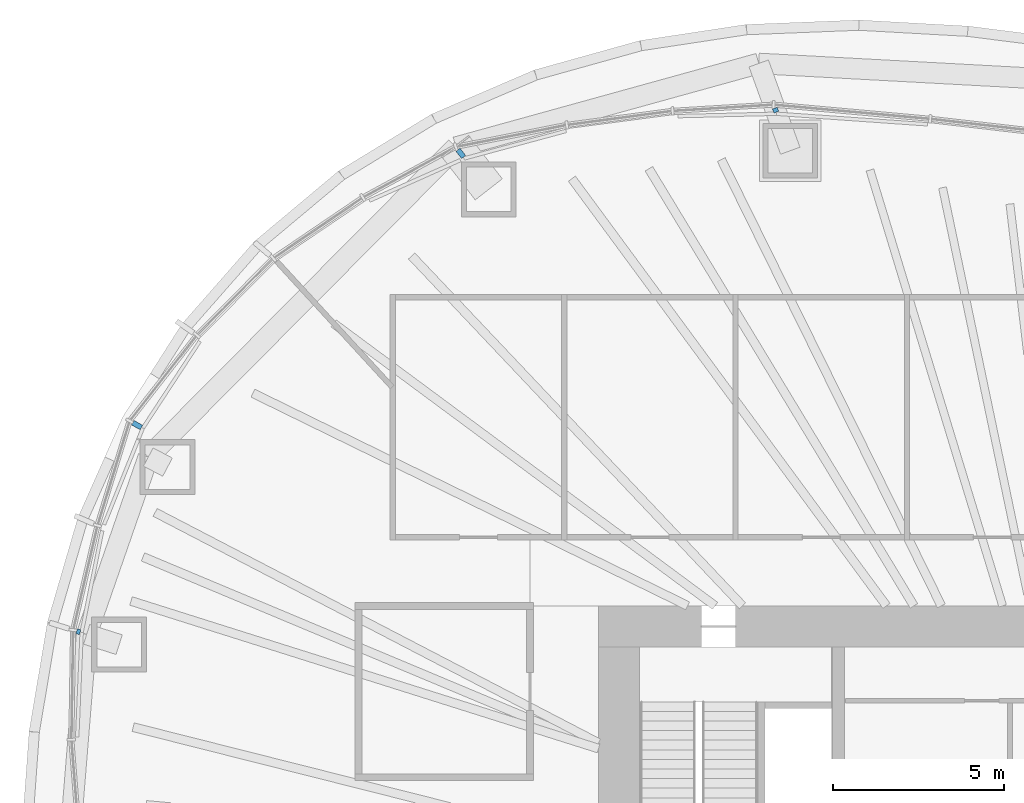
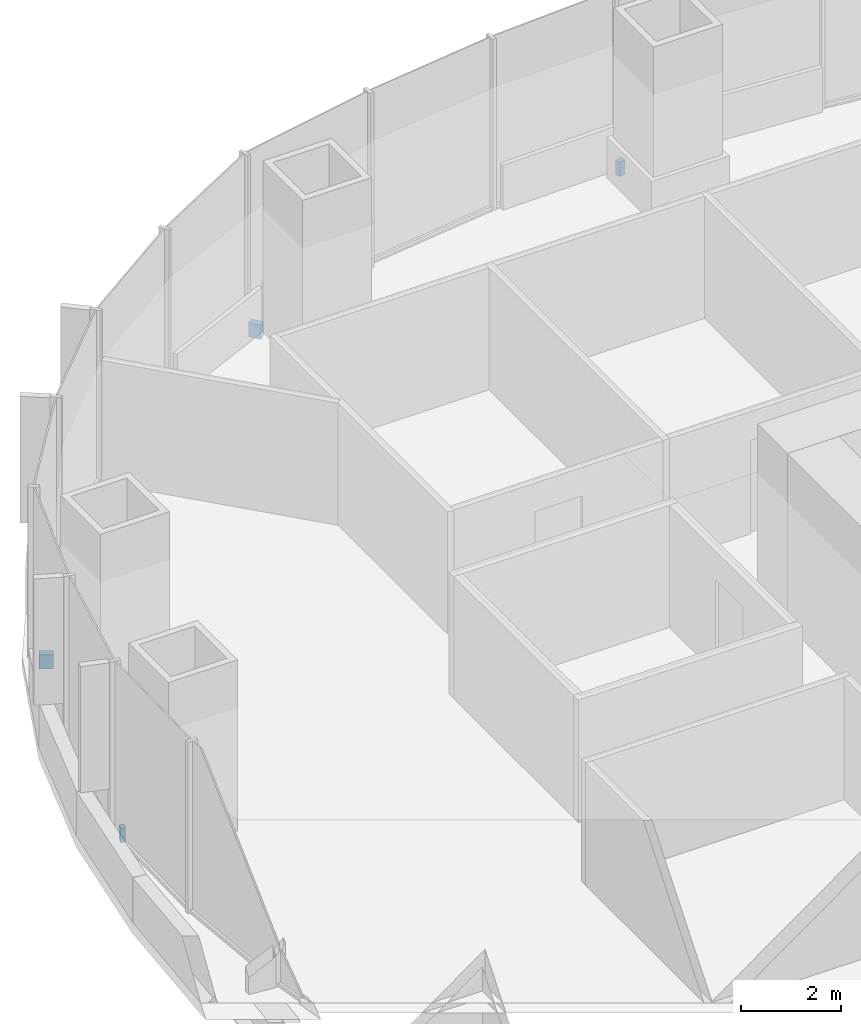
# One storey, part 17 of 20: 4 discrete accessories.
"""IFC4 building model written with IfcOpenShell, lengths in metres."""

from ifc_helpers import new_model, si_unit, direction, frame, origin, origin_2d, place, context, subcontext, project, spatial, rectangle, extrude, material, type_object, element, save


model = new_model("IFC4")

# Units and contexts
model_context = context("Model", 3, precision=1e-05, world=origin(), true_north=direction((0.0, 1.0)))
body_context = subcontext(model_context, "Body", "Model", "MODEL_VIEW")
ifc_project = project(units=[si_unit("LENGTHUNIT", "METRE"), si_unit("AREAUNIT", "SQUARE_METRE"), si_unit("VOLUMEUNIT", "CUBIC_METRE"), si_unit("PLANEANGLEUNIT", "RADIAN"), si_unit("MASSUNIT", "GRAM", prefix="KILO")], contexts=[model_context])

# Site, building, storey
site_placement = place(None, origin())
site = spatial("IfcSite", under=ifc_project, at=site_placement, CompositionType="ELEMENT")
building_placement = place(site_placement, origin())
building = spatial("IfcBuilding", under=site, at=building_placement, Name="Ghaith Harvest Tower", CompositionType="ELEMENT")
storey_placement = place(building_placement, frame((0.0, 0.0, 105.0)))
storey = spatial("IfcBuildingStorey", under=building, at=storey_placement, Name="L21", CompositionType="ELEMENT", Elevation=105.0)

# Discrete accessories
ifc_material_1 = material(Name="Stainless steel grade 1.4401", Category="steel")
discrete_accessory_type_1 = type_object("IfcDiscreteAccessoryType", Name="CURTAIN WALL BRACKET 105", PredefinedType="BRACKET", material=ifc_material_1)
discrete_accessory_1_placement = place(storey_placement, frame((-29.171875, 9.2451171875, -0.25), z_axis=(0.0, 0.0, 1.0), x_axis=(-0.953273219358, 0.302109531884, 0.0)))
element("IfcDiscreteAccessory", 1, at=discrete_accessory_1_placement, inside=storey, type_object=discrete_accessory_type_1, Name="CW-L bracket 1 bay 10 L21", PredefinedType="BRACKET", context=body_context, shape_type="SweptSolid", body=[
    extrude(rectangle(XDim=0.10498046875, YDim=0.14990234375, at=origin_2d()), origin(), (0.0, 0.0, 1.0), 0.35009765625),
])
ifc_material_2 = material(Name="Stainless steel grade 1.4401", Category="steel")
discrete_accessory_type_2 = type_object("IfcDiscreteAccessoryType", Name="CURTAIN WALL BRACKET 125", PredefinedType="BRACKET", material=ifc_material_2)
discrete_accessory_2_placement = place(storey_placement, frame((-8.833984375, 24.45849609375, -0.25), z_axis=(0.0, 0.0, 1.0), x_axis=(-0.339699453402, 0.94053404051, 0.0)))
element("IfcDiscreteAccessory", 2, at=discrete_accessory_2_placement, inside=storey, type_object=discrete_accessory_type_2, Name="CW-L bracket 1 bay 07 L21", PredefinedType="BRACKET", context=body_context, shape_type="SweptSolid", body=[
    extrude(rectangle(XDim=0.125, YDim=0.14990234375, at=origin_2d()), origin(), (0.0, 0.0, 1.0), 0.35009765625),
])
ifc_material_3 = material(Name="Stainless steel grade 1.4401", Category="steel")
discrete_accessory_type_3 = type_object("IfcDiscreteAccessoryType", Name="CURTAIN WALL BRACKET 265", PredefinedType="BRACKET", material=ifc_material_3)
discrete_accessory_3_placement = place(storey_placement, frame((-18.0166015625, 23.197998046875, -0.25), z_axis=(0.0, 0.0, 1.0), x_axis=(-0.613377714422, 0.78978970584, 0.0)))
element("IfcDiscreteAccessory", 3, at=discrete_accessory_3_placement, inside=storey, type_object=discrete_accessory_type_3, Name="CW-L bracket 1 bay 08 L21", PredefinedType="BRACKET", context=body_context, shape_type="SweptSolid", body=[
    extrude(rectangle(XDim=0.264892578125, YDim=0.14990234375, at=origin_2d()), origin(), (0.0, 0.0, 1.0), 0.35009765625),
])
ifc_material_4 = material(Name="Stainless steel grade 1.4401", Category="steel")
discrete_accessory_type_4 = type_object("IfcDiscreteAccessoryType", Name="CURTAIN WALL BRACKET 285", PredefinedType="BRACKET", material=ifc_material_4)
discrete_accessory_4_placement = place(storey_placement, frame((-27.45849609375, 15.271728515625, -0.25), z_axis=(0.0, 0.0, 1.0), x_axis=(-0.873926916005, 0.486057347935, 0.0)))
element("IfcDiscreteAccessory", 4, at=discrete_accessory_4_placement, inside=storey, type_object=discrete_accessory_type_4, Name="CW-L bracket 2 bay 09 L21", PredefinedType="BRACKET", context=body_context, shape_type="SweptSolid", body=[
    extrude(rectangle(XDim=0.284912109375, YDim=0.14990234375, at=origin_2d()), origin(), (0.0, 0.0, 1.0), 0.35009765625),
])

save(model, "model.ifc")
